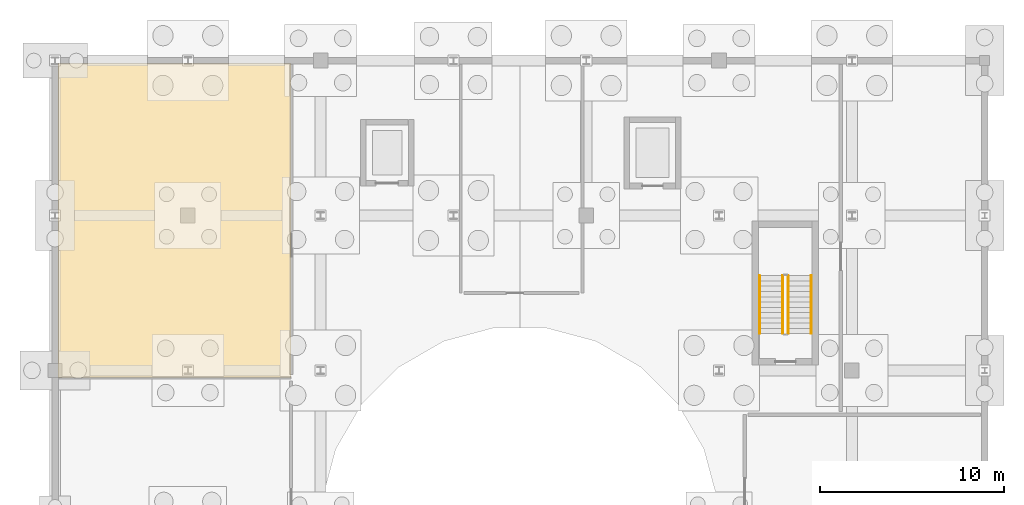
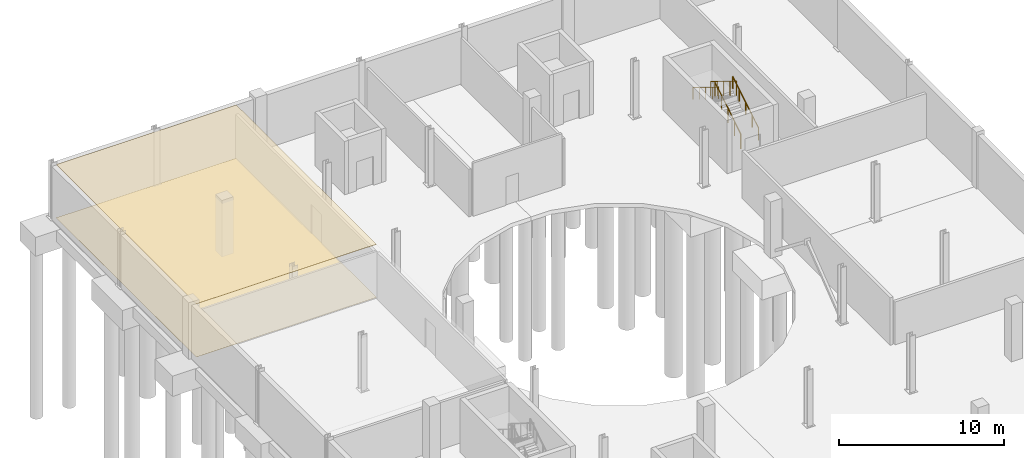
# One storey, part 30 of 32: 4 railings, 2 coverings.
"""IFC4 building model written with IfcOpenShell, lengths in metres."""

from ifc_helpers import new_model, si_unit, direction, frame, origin, origin_2d, place, context, subcontext, project, spatial, polyline, circle, outline, extrude, material, layer, layer_set, type_object, element, save


model = new_model("IFC4")

# Units and contexts
model_context = context("Model", 3, precision=1e-05, world=origin(), true_north=direction((0.0, 1.0)))
body_context = subcontext(model_context, "Body", "Model", "MODEL_VIEW")
ifc_project = project(units=[si_unit("LENGTHUNIT", "METRE"), si_unit("AREAUNIT", "SQUARE_METRE"), si_unit("VOLUMEUNIT", "CUBIC_METRE"), si_unit("PLANEANGLEUNIT", "RADIAN"), si_unit("MASSUNIT", "GRAM", prefix="KILO")], contexts=[model_context])

# Site, building, storey
site_placement = place(None, origin())
site = spatial("IfcSite", under=ifc_project, at=site_placement, CompositionType="ELEMENT")
building_placement = place(site_placement, origin())
building = spatial("IfcBuilding", under=site, at=building_placement, Name="Qelthora Terrace Specialist Clinic", CompositionType="ELEMENT")
storey_placement = place(building_placement, frame((0.0, 0.0, -4.199951171875)))
storey = spatial("IfcBuildingStorey", under=building, at=storey_placement, Name="B1", CompositionType="ELEMENT", Elevation=-4.199951171875)

# Coverings
ifc_material_1 = material(Name="Hygienic mineral-fibre acoustic ceiling", Category="gypsum")
ifc_layer_1 = layer(ifc_material_1, 0.02490234375)
ifc_layer_set_1 = layer_set([ifc_layer_1], Name="Hygienic mineral-fibre acoustic ceiling")
covering_type_1 = type_object("IfcCoveringType", Name="COV-CEIL-ACU-25", PredefinedType="CEILING", material=ifc_layer_set_1)
covering_1_placement = place(storey_placement, frame((0.0, 0.0, 3.93505859375)))
element("IfcCovering", 1, at=covering_1_placement, inside=storey, type_object=covering_type_1, Name="Central Sterile Supply CSSD B1-05 acoustic ceiling", PredefinedType="CEILING", context=body_context, shape_type="SweptSolid", body=[
    extrude(outline(polyline([(0.14990234375, 92.0048828125), (0.14990234375, 109.050048828125), (12.800048828125, 109.050048828125), (12.800048828125, 92.0048828125), (0.14990234375, 92.0048828125)])), origin(), (0.0, 0.0, 1.0), 0.02490234375),
])
ifc_material_2 = material(Name="Antimicrobial clinical linoleum flooring", Category="other")
ifc_layer_2 = layer(ifc_material_2, 0.011962890625)
ifc_layer_set_2 = layer_set([ifc_layer_2], Name="Antimicrobial clinical linoleum flooring")
covering_type_2 = type_object("IfcCoveringType", Name="COV-FLR-LINO-12", PredefinedType="FLOORING", material=ifc_layer_set_2)
covering_2_placement = place(storey_placement, origin())
element("IfcCovering", 2, at=covering_2_placement, inside=storey, type_object=covering_type_2, Name="Central Sterile Supply CSSD B1-05 resilient linoleum flooring", PredefinedType="FLOORING", context=body_context, shape_type="SweptSolid", body=[
    extrude(outline(polyline([(0.14990234375, 92.0048828125), (0.14990234375, 109.050048828125), (12.800048828125, 109.050048828125), (12.800048828125, 92.0048828125), (0.14990234375, 92.0048828125)])), origin(), (0.0, 0.0, 1.0), 0.011962890625),
])

# Railings
ifc_material_3 = material(Name="Steel S355", Category="steel")
railing_type_1 = type_object("IfcRailingType", Name="RAL-GD-1100-S355", PredefinedType="GUARDRAIL", material=ifc_material_3)
railing_1_placement = place(storey_placement, frame((39.75, 94.39990234375, 0.175048828125)))
element("IfcRailing", 3, at=railing_1_placement, inside=storey, type_object=railing_type_1, Name="B1 ST-02 stair guard 1", PredefinedType="GUARDRAIL", context=body_context, shape_type="SweptSolid", body=[
    extrude(circle(Radius=0.02392578125, at=origin_2d()), frame((0.0, 0.0, 1.076171875), z_axis=(0.0, 0.852195625947, 0.523223293744), x_axis=(-1.0, 0.0, 0.0)), (0.0, 0.0, 1.0), 3.6787109375),
    extrude(circle(Radius=0.02099609375, at=origin_2d()), origin(), (0.0, 0.0, 1.0), 1.052001953125),
    extrude(circle(Radius=0.02099609375, at=origin_2d()), frame((0.0, 0.78369140625, 0.481201171875)), (0.0, 0.0, 1.0), 1.052001953125),
    extrude(circle(Radius=0.02099609375, at=origin_2d()), frame((0.0, 1.5673828125, 0.96240234375)), (0.0, 0.0, 1.0), 1.052001953125),
    extrude(circle(Radius=0.02099609375, at=origin_2d()), frame((0.0, 2.351318359375, 1.443603515625)), (0.0, 0.0, 1.0), 1.052001953125),
    extrude(circle(Radius=0.02099609375, at=origin_2d()), frame((0.0, 3.135009765625, 1.9248046875)), (0.0, 0.0, 1.0), 1.052001953125),
])
railing_2_placement = place(storey_placement, frame((39.449951171875, 97.534912109375, 2.27490234375)))
element("IfcRailing", 4, at=railing_2_placement, inside=storey, type_object=railing_type_1, Name="B1 ST-02 stair guard 3", PredefinedType="GUARDRAIL", context=body_context, shape_type="SweptSolid", body=[
    extrude(circle(Radius=0.02392578125, at=origin_2d()), frame((0.0, 0.0, 1.076171875), z_axis=(0.0, -0.852166034122, 0.523271488128), x_axis=(1.0, 0.0, 0.0)), (0.0, 0.0, 1.0), 3.678955078125),
    extrude(circle(Radius=0.02099609375, at=origin_2d()), origin(), (0.0, 0.0, 1.0), 1.052001953125),
    extrude(circle(Radius=0.02099609375, at=origin_2d()), frame((0.0, -0.78369140625, 0.481201171875)), (0.0, 0.0, 1.0), 1.052001953125),
    extrude(circle(Radius=0.02099609375, at=origin_2d()), frame((0.0, -1.5673828125, 0.96240234375)), (0.0, 0.0, 1.0), 1.052001953125),
    extrude(circle(Radius=0.02099609375, at=origin_2d()), frame((0.0, -2.351318359375, 1.44384765625)), (0.0, 0.0, 1.0), 1.052001953125),
    extrude(circle(Radius=0.02099609375, at=origin_2d()), frame((0.0, -3.135009765625, 1.925048828125)), (0.0, 0.0, 1.0), 1.052001953125),
])
railing_type_2 = type_object("IfcRailingType", Name="RAL-HR-900-S355", PredefinedType="HANDRAIL", material=ifc_material_3)
railing_3_placement = place(storey_placement, frame((41.0, 94.39990234375, 0.367919921875)))
element("IfcRailing", 5, at=railing_3_placement, inside=storey, type_object=railing_type_2, Name="B1 ST-02 stair handrail 1", PredefinedType="HANDRAIL", context=body_context, shape_type="SweptSolid", body=[
    extrude(circle(Radius=0.02392578125, at=origin_2d()), frame((0.0, 0.0, 0.8759765625), z_axis=(0.0, 0.852166034122, 0.523271488128), x_axis=(-1.0, 0.0, 0.0)), (0.0, 0.0, 1.0), 3.678955078125),
    extrude(circle(Radius=0.02099609375, at=origin_2d()), origin(), (0.0, 0.0, 1.0), 0.851806640625),
    extrude(circle(Radius=0.02099609375, at=origin_2d()), frame((0.0, 0.78369140625, 0.481201171875)), (0.0, 0.0, 1.0), 0.851806640625),
    extrude(circle(Radius=0.02099609375, at=origin_2d()), frame((0.0, 1.5673828125, 0.96240234375)), (0.0, 0.0, 1.0), 0.851806640625),
    extrude(circle(Radius=0.02099609375, at=origin_2d()), frame((0.0, 2.351318359375, 1.44384765625)), (0.0, 0.0, 1.0), 0.851806640625),
    extrude(circle(Radius=0.02099609375, at=origin_2d()), frame((0.0, 3.135009765625, 1.925048828125)), (0.0, 0.0, 1.0), 0.851806640625),
])
railing_4_placement = place(storey_placement, frame((38.199951171875, 97.534912109375, 2.468017578125)))
element("IfcRailing", 6, at=railing_4_placement, inside=storey, type_object=railing_type_2, Name="B1 ST-02 stair handrail 2", PredefinedType="HANDRAIL", context=body_context, shape_type="SweptSolid", body=[
    extrude(circle(Radius=0.02392578125, at=origin_2d()), frame((0.0, 0.0, 0.8759765625), z_axis=(0.0, -0.852166034122, 0.523271488128), x_axis=(1.0, 0.0, 0.0)), (0.0, 0.0, 1.0), 3.678955078125),
    extrude(circle(Radius=0.02099609375, at=origin_2d()), origin(), (0.0, 0.0, 1.0), 0.851806640625),
    extrude(circle(Radius=0.02099609375, at=origin_2d()), frame((0.0, -0.78369140625, 0.481201171875)), (0.0, 0.0, 1.0), 0.851806640625),
    extrude(circle(Radius=0.02099609375, at=origin_2d()), frame((0.0, -1.5673828125, 0.96240234375)), (0.0, 0.0, 1.0), 0.851806640625),
    extrude(circle(Radius=0.02099609375, at=origin_2d()), frame((0.0, -2.351318359375, 1.44384765625)), (0.0, 0.0, 1.0), 0.851806640625),
    extrude(circle(Radius=0.02099609375, at=origin_2d()), frame((0.0, -3.135009765625, 1.925048828125)), (0.0, 0.0, 1.0), 0.851806640625),
])

save(model, "model.ifc")
